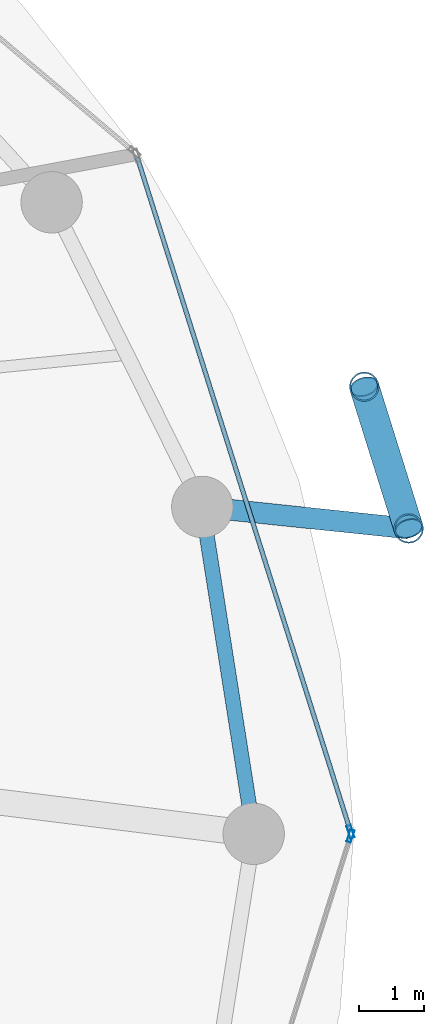
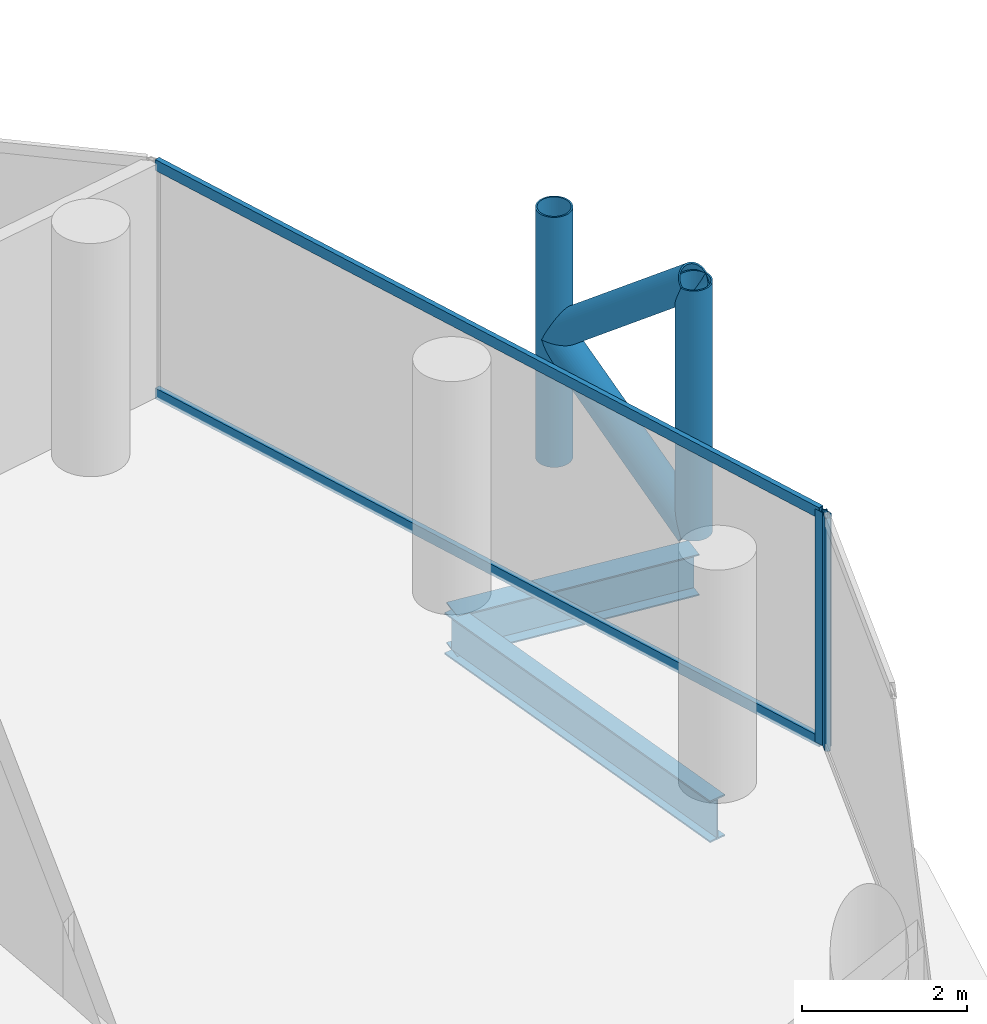
# One storey, part 12 of 26: 8 members, 2 beams, 2 elements without a shape of their own.
"""IFC4 building model written with IfcOpenShell, lengths in metres."""

from ifc_helpers import new_model, si_unit, direction, frame, origin, origin_2d, place, context, subcontext, project, spatial, hollow_rectangle, hollow_circle, i_section, extrude, material, layer, layer_set, material_profile, profile_set, type_object, element, aggregate, save


model = new_model("IFC4")

# Units and contexts
model_context = context("Model", 3, precision=1e-05, world=origin(), true_north=direction((0.0, 1.0)))
body_context = subcontext(model_context, "Body", "Model", "MODEL_VIEW")
ifc_project = project(units=[si_unit("LENGTHUNIT", "METRE"), si_unit("AREAUNIT", "SQUARE_METRE"), si_unit("VOLUMEUNIT", "CUBIC_METRE"), si_unit("PLANEANGLEUNIT", "RADIAN"), si_unit("MASSUNIT", "GRAM", prefix="KILO")], contexts=[model_context])

# Site, building, storey
site_placement = place(None, origin())
site = spatial("IfcSite", under=ifc_project, at=site_placement, CompositionType="ELEMENT")
building_placement = place(site_placement, origin())
building = spatial("IfcBuilding", under=site, at=building_placement, Name="Nuhasar Tower", CompositionType="ELEMENT")
storey_placement = place(building_placement, frame((0.0, 0.0, 170.050048828125)))
storey = spatial("IfcBuildingStorey", under=building, at=storey_placement, Name="L41", CompositionType="ELEMENT", Elevation=170.050048828125)

# Beams
ifc_material_1 = material(Name="Steel S355", Category="steel")
ifc_material_profile_1 = material_profile(ifc_material_1, i_section(OverallWidth=0.22998046875, OverallDepth=0.616943359375, WebThickness=0.01318359375, FlangeThickness=0.022216796875, at=origin_2d()), Name="W24X94")
ifc_profile_set_1 = profile_set([ifc_material_profile_1], Name="Steel S355")
beam_type_1 = type_object("IfcBeamType", Name="BM-RING-W24X94", PredefinedType="SPANDREL", material=ifc_profile_set_1)
beam_1_placement = place(storey_placement, frame((62.35009765625, 26.800048828125, -0.55810546875), z_axis=(-0.155426543608, 0.987847452566, 0.0), x_axis=(-0.987847452566, -0.155426543608, 0.0)))
element("IfcBeam", 1, at=beam_1_placement, inside=storey, type_object=beam_type_1, Name="L41 Perimeter Ring Spandrel 01", PredefinedType="SPANDREL", context=body_context, shape_type="SweptSolid", body=[
    extrude(i_section(OverallWidth=0.22998046875, OverallDepth=0.616943359375, WebThickness=0.01318359375, FlangeThickness=0.022216796875, at=origin_2d()), origin(), (0.0, 0.0, 1.0), 5.122314453125),
])
ifc_material_profile_2 = material_profile(ifc_material_1, i_section(OverallWidth=0.323974609375, OverallDepth=0.611083984375, WebThickness=0.0126953125, FlangeThickness=0.01904296875, at=origin_2d()), Name="W24X104")
ifc_profile_set_2 = profile_set([ifc_material_profile_2], Name="Steel S355")
beam_type_2 = type_object("IfcBeamType", Name="BM-TIE-W24X104", PredefinedType="BEAM", material=ifc_profile_set_2)
beam_2_placement = place(storey_placement, frame((61.553955078125, 31.860107421875, -0.554931640625), z_axis=(0.994569828715, -0.104071397654, 0.0), x_axis=(0.104071397654, 0.994569828715, 0.0)))
element("IfcBeam", 2, at=beam_2_placement, inside=storey, type_object=beam_type_2, Name="L41 Exoskeleton Node Tie Beam 01", PredefinedType="BEAM", context=body_context, shape_type="SweptSolid", body=[
    extrude(i_section(OverallWidth=0.323974609375, OverallDepth=0.611083984375, WebThickness=0.0126953125, FlangeThickness=0.01904296875, at=origin_2d()), origin(), (0.0, 0.0, 1.0), 3.21142578125),
])

# Curtain wall, member
ifc_material_2 = material(Name="Aluminium 6063-T6", Category="aluminium")
ifc_layer = layer(ifc_material_2, 0.199951171875)
ifc_layer_set = layer_set([ifc_layer], Name="Aluminium 6063-T6")
curtain_wall_type = type_object("IfcCurtainWallType", Name="CW-Z2-HTL", PredefinedType="NOTDEFINED", material=ifc_layer_set)
curtain_wall_1_placement = place(storey_placement, origin())
curtain_wall_1 = element("IfcCurtainWall", 3, at=curtain_wall_1_placement, inside=storey, type_object=curtain_wall_type, Name="L41 Unitised Curtain Wall 01", PredefinedType="NOTDEFINED")
ifc_material_profile_3 = material_profile(ifc_material_2, hollow_rectangle(XDim=0.070068359375, YDim=0.199951171875, WallThickness=0.0048828125, at=origin_2d()), Name="CWM-3")
ifc_profile_set_3 = profile_set([ifc_material_profile_3], Name="Aluminium 6063-T6")
member_type_1 = type_object("IfcMemberType", Name="CW-MUL-S3", PredefinedType="MULLION", material=ifc_profile_set_3)
member_1_placement = place(storey_placement, frame((63.849365234375, 26.833251953125, 0.0), z_axis=(0.0, 0.0, 1.0), x_axis=(-0.953433389233, -0.301603667577, 0.0)))
member_1 = element("IfcMember", 4, at=member_1_placement, type_object=member_type_1, Name="CW-Z2 mullion 1", PredefinedType="MULLION", context=body_context, shape_type="SweptSolid", body=[
    extrude(hollow_rectangle(XDim=0.070068359375, YDim=0.199951171875, WallThickness=0.0048828125, at=origin_2d()), origin(), (0.0, 0.0, 1.0), 3.449951171875),
])

curtain_wall_2_placement = place(storey_placement, origin())
curtain_wall_2 = element("IfcCurtainWall", 5, at=curtain_wall_2_placement, inside=storey, type_object=curtain_wall_type, Name="L41 Unitised Curtain Wall 12", PredefinedType="NOTDEFINED")
member_2_placement = place(storey_placement, frame((63.849365234375, 26.7666015625, 0.0), z_axis=(0.0, 0.0, 1.0), x_axis=(-0.953433389233, 0.301603667577, 0.0)))
member_2 = element("IfcMember", 6, at=member_2_placement, type_object=member_type_1, Name="CW-Z2 mullion 2", PredefinedType="MULLION", context=body_context, shape_type="SweptSolid", body=[
    extrude(hollow_rectangle(XDim=0.070068359375, YDim=0.199951171875, WallThickness=0.0048828125, at=origin_2d()), origin(), (0.0, 0.0, 1.0), 3.449951171875),
])
aggregate(curtain_wall_2, [member_2])

# Member
ifc_material_profile_4 = material_profile(ifc_material_2, hollow_rectangle(XDim=0.070068359375, YDim=0.159912109375, WallThickness=0.00439453125, at=origin_2d()), Name="CWT-3")
ifc_profile_set_4 = profile_set([ifc_material_profile_4], Name="Aluminium 6063-T6")
member_type_2 = type_object("IfcMemberType", Name="CW-TRN-S3", PredefinedType="USERDEFINED", material=ifc_profile_set_4)
member_3_placement = place(storey_placement, frame((63.8388671875, 26.86669921875, 0.034912109375), z_axis=(-0.301608163352, 0.953431967053, 0.0), x_axis=(-0.953431967053, -0.301608163352, 0.0)))
member_3 = element("IfcMember", 7, at=member_3_placement, type_object=member_type_2, Name="CW-Z2 transom 1.1", ObjectType="TRANSOM", PredefinedType="USERDEFINED", context=body_context, shape_type="SweptSolid", body=[
    extrude(hollow_rectangle(XDim=0.070068359375, YDim=0.159912109375, WallThickness=0.00439453125, at=origin_2d()), origin(), (0.0, 0.0, 1.0), 10.904296875),
])

member_4_placement = place(storey_placement, frame((63.8388671875, 26.86669921875, 3.4150390625), z_axis=(-0.301608163352, 0.953431967053, 0.0), x_axis=(-0.953431967053, -0.301608163352, 0.0)))
member_4 = element("IfcMember", 8, at=member_4_placement, type_object=member_type_2, Name="CW-Z2 transom 1.2", ObjectType="TRANSOM", PredefinedType="USERDEFINED", context=body_context, shape_type="SweptSolid", body=[
    extrude(hollow_rectangle(XDim=0.070068359375, YDim=0.159912109375, WallThickness=0.00439453125, at=origin_2d()), origin(), (0.0, 0.0, 1.0), 10.904296875),
])

aggregate(curtain_wall_1, [member_1, member_3, member_4])

# Members
ifc_material_3 = material(Name="Steel S460", Category="steel")
ifc_material_profile_5 = material_profile(ifc_material_3, hollow_circle(Radius=0.228515625, WallThickness=0.022216796875, at=origin_2d()), Name="HSS457X22.2")
ifc_profile_set_5 = profile_set([ifc_material_profile_5], Name="Steel S460")
member_type_3 = type_object("IfcMemberType", Name="EXO-BRONZE-457", PredefinedType="BRACE", material=ifc_profile_set_5)
for number, where, z_axis, x_axis, name in (
    (9, (64.748046875, 31.52587890625, 0.0), (0.0, 0.0, 1.0), (1.0, 0.0, 0.0), "L41 Exoskeleton Chord Column EC-01A"),
    (10, (64.06005859375, 33.720947265625, 0.0), (0.0, 0.0, 1.0), (1.0, 0.0, 0.0), "L41 Exoskeleton Chord Column EC-01B"),
):
    element("IfcMember", number, at=place(storey_placement, frame(where, z_axis=z_axis, x_axis=x_axis)), inside=storey, type_object=member_type_3, Name=name, PredefinedType="BRACE", context=body_context, shape_type="SweptSolid", body=[
        extrude(hollow_circle(Radius=0.228515625, WallThickness=0.022216796875, at=origin_2d()), origin(), (0.0, 0.0, 1.0), 3.699951171875),
    ])
member_5_placement = place(storey_placement, frame((64.748046875, 31.52587890625, 0.0), z_axis=(-0.233067628236, 0.74361641074, 0.626669062861), x_axis=(-0.954228474306, -0.29907861646, 0.0)))
element("IfcMember", 11, at=member_5_placement, inside=storey, type_object=member_type_3, Name="L41 Bronze Diagrid Brace W1-01", PredefinedType="BRACE", context=body_context, shape_type="SweptSolid", body=[
    extrude(hollow_circle(Radius=0.228515625, WallThickness=0.022216796875, at=origin_2d()), origin(), (0.0, 0.0, 1.0), 2.951904296875),
])
member_6_placement = place(storey_placement, frame((64.06005859375, 33.720947265625, 1.849853515625), z_axis=(0.233055548538, -0.743577869731, 0.626719285599), x_axis=(0.954228474306, 0.29907861646, 0.0)))
element("IfcMember", 12, at=member_6_placement, inside=storey, type_object=member_type_3, Name="L41 Bronze Diagrid Brace W2-01", PredefinedType="BRACE", context=body_context, shape_type="SweptSolid", body=[
    extrude(hollow_circle(Radius=0.228515625, WallThickness=0.022216796875, at=origin_2d()), origin(), (0.0, 0.0, 1.0), 2.9521484375),
])

save(model, "model.ifc")
